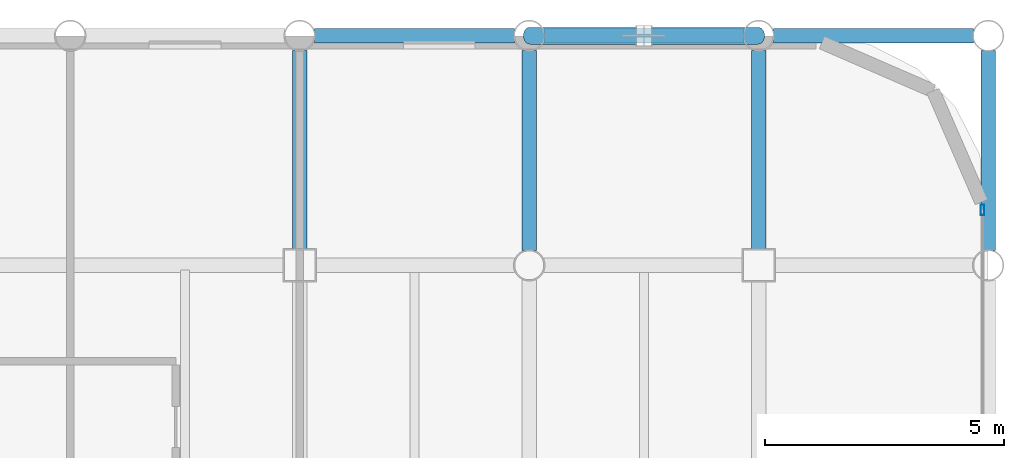
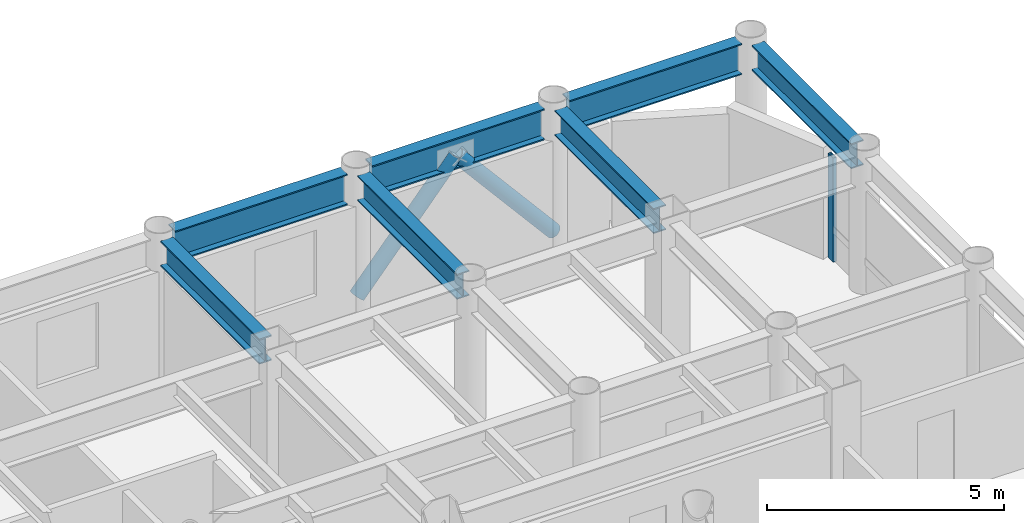
# One storey, part 14 of 20: 7 beams, 3 members, 1 element without a shape of its own.
"""IFC4 building model written with IfcOpenShell, lengths in metres."""

from ifc_helpers import new_model, si_unit, direction, frame, origin, origin_2d, place, context, subcontext, project, spatial, hollow_rectangle, hollow_circle, i_section, extrude, material, layer, layer_set, material_profile, profile_set, type_object, element, aggregate, save


model = new_model("IFC4")

# Units and contexts
model_context = context("Model", 3, precision=1e-05, world=origin(), true_north=direction((0.0, 1.0)))
body_context = subcontext(model_context, "Body", "Model", "MODEL_VIEW")
ifc_project = project(units=[si_unit("LENGTHUNIT", "METRE"), si_unit("AREAUNIT", "SQUARE_METRE"), si_unit("VOLUMEUNIT", "CUBIC_METRE"), si_unit("PLANEANGLEUNIT", "RADIAN"), si_unit("MASSUNIT", "GRAM", prefix="KILO")], contexts=[model_context])

# Site, building, storey
site_placement = place(None, origin())
site = spatial("IfcSite", under=ifc_project, at=site_placement, CompositionType="ELEMENT")
building_placement = place(site_placement, origin())
building = spatial("IfcBuilding", under=site, at=building_placement, Name="Kallvorn Hotel Tower", CompositionType="ELEMENT")
storey_placement = place(building_placement, frame((0.0, 0.0, 158.10009765625)))
storey = spatial("IfcBuildingStorey", under=building, at=storey_placement, Name="L39", CompositionType="ELEMENT", Elevation=158.10009765625)

# Beams
ifc_material_1 = material(Name="Structural steel S355JR", Category="steel")
ifc_material_profile_1 = material_profile(ifc_material_1, i_section(OverallWidth=0.300048828125, OverallDepth=0.64990234375, WebThickness=0.01611328125, FlangeThickness=0.031005859375, at=origin_2d()), Name="HE 650 B")
ifc_profile_set_1 = profile_set([ifc_material_profile_1], Name="Structural steel S355JR")
beam_type_1 = type_object("IfcBeamType", Name="BM_HE650B", PredefinedType="BEAM", material=ifc_profile_set_1)
beam_1_placement = place(storey_placement, frame((14.39990234375, 14.72509765625, 3.19482421875), z_axis=(0.0, 1.0, 0.0), x_axis=(-1.0, 0.0, 0.0)))
element("IfcBeam", 1, at=beam_1_placement, inside=storey, type_object=beam_type_1, Name="L40 Primary Y-Girder 126", PredefinedType="BEAM", context=body_context, shape_type="SweptSolid", body=[
    extrude(i_section(OverallWidth=0.300048828125, OverallDepth=0.64990234375, WebThickness=0.01611328125, FlangeThickness=0.031005859375, at=origin_2d()), origin(), (0.0, 0.0, 1.0), 4.169921875),
])
beam_2_placement = place(storey_placement, frame((19.199951171875, 14.705078125, 3.19482421875), z_axis=(0.0, 1.0, 0.0), x_axis=(-1.0, 0.0, 0.0)))
element("IfcBeam", 2, at=beam_2_placement, inside=storey, type_object=beam_type_1, Name="L40 Primary Y-Girder 135", PredefinedType="BEAM", context=body_context, shape_type="SweptSolid", body=[
    extrude(i_section(OverallWidth=0.300048828125, OverallDepth=0.64990234375, WebThickness=0.01611328125, FlangeThickness=0.031005859375, at=origin_2d()), origin(), (0.0, 0.0, 1.0), 4.18994140625),
])
beam_3_placement = place(storey_placement, frame((24.0, 14.72509765625, 3.19482421875), z_axis=(0.0, 1.0, 0.0), x_axis=(-1.0, 0.0, 0.0)))
element("IfcBeam", 3, at=beam_3_placement, inside=storey, type_object=beam_type_1, Name="L40 Primary Y-Girder 142", PredefinedType="BEAM", context=body_context, shape_type="SweptSolid", body=[
    extrude(i_section(OverallWidth=0.300048828125, OverallDepth=0.64990234375, WebThickness=0.01611328125, FlangeThickness=0.031005859375, at=origin_2d()), origin(), (0.0, 0.0, 1.0), 4.169921875),
])
beam_4_placement = place(storey_placement, frame((28.800048828125, 14.705078125, 3.19482421875), z_axis=(0.0, 1.0, 0.0), x_axis=(-1.0, 0.0, 0.0)))
element("IfcBeam", 4, at=beam_4_placement, inside=storey, type_object=beam_type_1, Name="L40 Primary Y-Girder 150", PredefinedType="BEAM", context=body_context, shape_type="SweptSolid", body=[
    extrude(i_section(OverallWidth=0.300048828125, OverallDepth=0.64990234375, WebThickness=0.01611328125, FlangeThickness=0.031005859375, at=origin_2d()), origin(), (0.0, 0.0, 1.0), 4.18994140625),
])
ifc_material_2 = material(Name="Structural steel S355JR", Category="steel")
ifc_material_profile_2 = material_profile(ifc_material_2, i_section(OverallWidth=0.300048828125, OverallDepth=0.800048828125, WebThickness=0.017578125, FlangeThickness=0.032958984375, at=origin_2d()), Name="HE 800 B")
ifc_profile_set_2 = profile_set([ifc_material_profile_2], Name="Structural steel S355JR")
beam_type_2 = type_object("IfcBeamType", Name="BM_HE800B", PredefinedType="BEAM", material=ifc_profile_set_2)
beam_5_placement = place(storey_placement, frame((14.705078125, 19.199951171875, 3.119873046875), z_axis=(1.0, 0.0, 0.0), x_axis=(0.0, 1.0, 0.0)))
element("IfcBeam", 5, at=beam_5_placement, inside=storey, type_object=beam_type_2, Name="L40 Primary X-Girder 70", PredefinedType="BEAM", context=body_context, shape_type="SweptSolid", body=[
    extrude(i_section(OverallWidth=0.300048828125, OverallDepth=0.800048828125, WebThickness=0.017578125, FlangeThickness=0.032958984375, at=origin_2d()), origin(), (0.0, 0.0, 1.0), 4.18994140625),
])
for number, where, z_axis, x_axis, name in (
    (6, (19.5048828125, 19.199951171875, 3.119873046875), (1.0, 0.0, 0.0), (0.0, 1.0, 0.0), "L40 Primary X-Girder 71"),
    (7, (24.304931640625, 19.199951171875, 3.119873046875), (1.0, 0.0, 0.0), (0.0, 1.0, 0.0), "L40 Primary X-Girder 72"),
):
    element("IfcBeam", number, at=place(storey_placement, frame(where, z_axis=z_axis, x_axis=x_axis)), inside=storey, type_object=beam_type_2, Name=name, PredefinedType="BEAM", context=body_context, shape_type="SweptSolid", body=[
        extrude(i_section(OverallWidth=0.300048828125, OverallDepth=0.800048828125, WebThickness=0.017578125, FlangeThickness=0.032958984375, at=origin_2d()), origin(), (0.0, 0.0, 1.0), 4.190185546875),
    ])

# Curtain wall, member
ifc_material_3 = material(Name="Thermally broken black-anodised aluminium AA 6063-T6", Category="aluminium")
ifc_layer = layer(ifc_material_3, 0.2099609375)
ifc_layer_set = layer_set([ifc_layer], Name="CW_SYS_4_HOTEL_MID")
curtain_wall_type = type_object("IfcCurtainWallType", Name="CW_SYS_4_HOTEL_MID", PredefinedType="USERDEFINED", material=ifc_layer_set)
curtain_wall_placement = place(storey_placement, origin())
curtain_wall = element("IfcCurtainWall", 8, at=curtain_wall_placement, inside=storey, type_object=curtain_wall_type, Name="L39 Dark-Glass Curtain Wall CW-L39-EN", ObjectType="UNITISED CURTAIN WALL", PredefinedType="USERDEFINED")
ifc_material_4 = material(Name="Thermally broken black-anodised aluminium AA 6063-T6", Category="aluminium")
ifc_material_profile_3 = material_profile(ifc_material_4, hollow_rectangle(XDim=0.080078125, YDim=0.219970703125, WallThickness=0.0048828125, at=origin_2d()), Name="MUL 220x80")
ifc_profile_set_3 = profile_set([ifc_material_profile_3], Name="Thermally broken black-anodised aluminium AA 6063-T6")
member_type_1 = type_object("IfcMemberType", Name="CW_MULLION_220x80", PredefinedType="MULLION", material=ifc_profile_set_3)
member_placement = place(storey_placement, frame((28.679931640625, 15.56005859375, 0.02001953125), z_axis=(0.0, 0.0, 1.0), x_axis=(1.0, 0.0, 0.0)))
member = element("IfcMember", 9, at=member_placement, type_object=member_type_1, Name="CW-L39-EN Mullion 01", PredefinedType="MULLION", context=body_context, shape_type="SweptSolid", body=[
    extrude(hollow_rectangle(XDim=0.080078125, YDim=0.219970703125, WallThickness=0.0048828125, at=origin_2d()), origin(), (0.0, 0.0, 1.0), 2.679931640625),
])
aggregate(curtain_wall, [member])

# Members
ifc_material_5 = material(Name="Structural steel S355J2H", Category="steel")
ifc_material_profile_4 = material_profile(ifc_material_5, hollow_circle(Radius=0.177734375, WallThickness=0.01416015625, at=origin_2d()), Name="CHS 355.6x14.2")
ifc_profile_set_4 = profile_set([ifc_material_profile_4], Name="Structural steel S355J2H")
member_type_2 = type_object("IfcMemberType", Name="MBR_EXO_CHS355", PredefinedType="BRACE", material=ifc_profile_set_4)
for number, where, z_axis, x_axis, name in (
    (10, (19.212890625, 19.199951171875, 0.1953125), (0.646833296797, 0.0, 0.762631422218), (0.0, 1.0, 0.0), "L39 Exoskeleton K-Brace N2A"),
    (11, (23.987060546875, 19.199951171875, 0.1953125), (-0.646833296797, 0.0, 0.762631422218), (0.0, -1.0, 0.0), "L39 Exoskeleton K-Brace N2B"),
):
    element("IfcMember", number, at=place(storey_placement, frame(where, z_axis=z_axis, x_axis=x_axis)), inside=storey, type_object=member_type_2, Name=name, PredefinedType="BRACE", context=body_context, shape_type="SweptSolid", body=[
        extrude(hollow_circle(Radius=0.177734375, WallThickness=0.01416015625, at=origin_2d()), origin(), (0.0, 0.0, 1.0), 3.670654296875),
    ])

save(model, "model.ifc")
